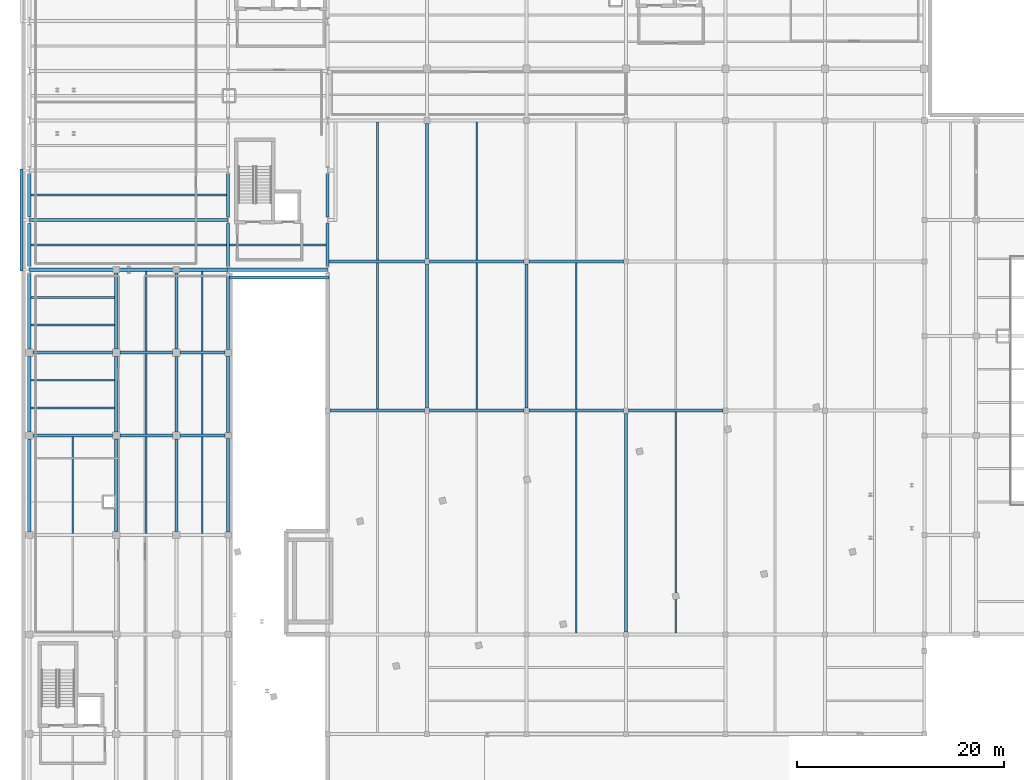
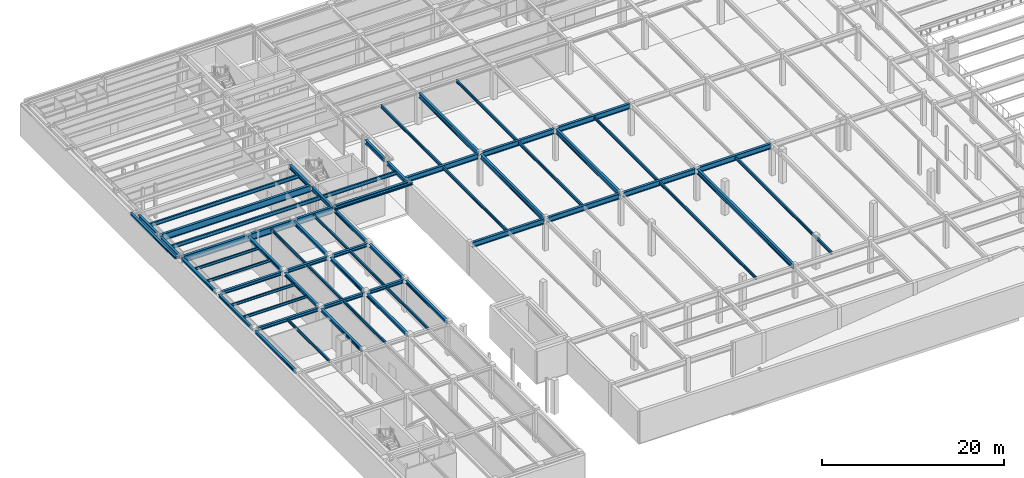
# One storey, part 11 of 32: 61 beams.
"""IFC4 building model written with IfcOpenShell, lengths in metres."""

from ifc_helpers import new_model, si_unit, direction, frame, origin, origin_2d, place, context, subcontext, project, spatial, i_section, extrude, material, material_profile, profile_set, type_object, element, save


model = new_model("IFC4")

# Units and contexts
model_context = context("Model", 3, precision=1e-05, world=origin(), true_north=direction((0.0, 1.0)))
body_context = subcontext(model_context, "Body", "Model", "MODEL_VIEW")
ifc_project = project(units=[si_unit("LENGTHUNIT", "METRE"), si_unit("AREAUNIT", "SQUARE_METRE"), si_unit("VOLUMEUNIT", "CUBIC_METRE"), si_unit("PLANEANGLEUNIT", "RADIAN"), si_unit("MASSUNIT", "GRAM", prefix="KILO")], contexts=[model_context])

# Site, building, storey
site_placement = place(None, origin())
site = spatial("IfcSite", under=ifc_project, at=site_placement, CompositionType="ELEMENT")
building_placement = place(site_placement, origin())
building = spatial("IfcBuilding", under=site, at=building_placement, Name="Nordkorset Police Headquarters", CompositionType="ELEMENT")
storey_placement = place(building_placement, frame((0.0, 0.0, -4.550048828125)))
storey = spatial("IfcBuildingStorey", under=building, at=storey_placement, Name="B01", CompositionType="ELEMENT", Elevation=-4.550048828125)

# Beams
ifc_material_1 = material(Name="Steel S355J2", Category="steel")
ifc_material_profile_1 = material_profile(ifc_material_1, i_section(OverallWidth=0.169921875, OverallDepth=0.360107421875, WebThickness=0.008056640625, FlangeThickness=0.0126953125, FilletRadius=0.01806640625, at=origin_2d()), Name="IPE 360")
ifc_profile_set_1 = profile_set([ifc_material_profile_1], Name="Steel S355J2")
beam_type_1 = type_object("IfcBeamType", Name="Beam_IPE_360", PredefinedType="BEAM", material=ifc_profile_set_1)
beam_1_placement = place(storey_placement, frame((4.199951171875, 57.75, 4.10009765625), z_axis=(0.0, 1.0, 0.0), x_axis=(-1.0, 0.0, 0.0)))
element("IfcBeam", 1, at=beam_1_placement, inside=storey, type_object=beam_type_1, Name="Composite Floor Beam V3 B01 0-3-1", PredefinedType="BEAM", context=body_context, shape_type="SweptSolid", body=[
    extrude(i_section(OverallWidth=0.169921875, OverallDepth=0.360107421875, WebThickness=0.008056640625, FlangeThickness=0.0126953125, FilletRadius=0.01806640625, at=origin_2d()), origin(), (0.0, 0.0, 1.0), 9.300048828125),
])
for number, where, z_axis, x_axis, name in (
    (2, (0.14990234375, 69.86669921875, 4.10009765625), (1.0, 0.0, 0.0), (0.0, 1.0, 0.0), "Composite Floor Beam V3 B01 0-4-1"),
    (3, (0.14990234375, 72.533447265625, 4.10009765625), (1.0, 0.0, 0.0), (0.0, 1.0, 0.0), "Composite Floor Beam V3 B01 0-4-2"),
    (4, (0.14990234375, 77.86669921875, 4.10009765625), (1.0, 0.0, 0.0), (0.0, 1.0, 0.0), "Composite Floor Beam V3 B01 0-5-1"),
    (5, (0.14990234375, 80.533447265625, 4.10009765625), (1.0, 0.0, 0.0), (0.0, 1.0, 0.0), "Composite Floor Beam V3 B01 0-5-2"),
):
    element("IfcBeam", number, at=place(storey_placement, frame(where, z_axis=z_axis, x_axis=x_axis)), inside=storey, type_object=beam_type_1, Name=name, PredefinedType="BEAM", context=body_context, shape_type="SweptSolid", body=[
        extrude(i_section(OverallWidth=0.169921875, OverallDepth=0.360107421875, WebThickness=0.008056640625, FlangeThickness=0.0126953125, FilletRadius=0.01806640625, at=origin_2d()), origin(), (0.0, 0.0, 1.0), 8.10009765625),
    ])
beam_2_placement = place(storey_placement, frame((11.300048828125, 57.75, 4.10009765625), z_axis=(0.0, 1.0, 0.0), x_axis=(-1.0, 0.0, 0.0)))
element("IfcBeam", 6, at=beam_2_placement, inside=storey, type_object=beam_type_1, Name="Composite Floor Beam V3 B01 1-3-1", PredefinedType="BEAM", context=body_context, shape_type="SweptSolid", body=[
    extrude(i_section(OverallWidth=0.169921875, OverallDepth=0.360107421875, WebThickness=0.008056640625, FlangeThickness=0.0126953125, FilletRadius=0.01806640625, at=origin_2d()), origin(), (0.0, 0.0, 1.0), 9.300048828125),
])
for number, where, z_axis, x_axis, name in (
    (7, (11.300048828125, 67.35009765625, 4.10009765625), (0.0, 1.0, 0.0), (-1.0, 0.0, 0.0), "Composite Floor Beam V3 B01 1-4-1"),
    (8, (11.300048828125, 75.35009765625, 4.10009765625), (0.0, 1.0, 0.0), (-1.0, 0.0, 0.0), "Composite Floor Beam V3 B01 1-5-1"),
):
    element("IfcBeam", number, at=place(storey_placement, frame(where, z_axis=z_axis, x_axis=x_axis)), inside=storey, type_object=beam_type_1, Name=name, PredefinedType="BEAM", context=body_context, shape_type="SweptSolid", body=[
        extrude(i_section(OverallWidth=0.169921875, OverallDepth=0.360107421875, WebThickness=0.008056640625, FlangeThickness=0.0126953125, FilletRadius=0.01806640625, at=origin_2d()), origin(), (0.0, 0.0, 1.0), 7.699951171875),
    ])
beam_3_placement = place(storey_placement, frame((16.699951171875, 57.75, 4.10009765625), z_axis=(0.0, 1.0, 0.0), x_axis=(-1.0, 0.0, 0.0)))
element("IfcBeam", 9, at=beam_3_placement, inside=storey, type_object=beam_type_1, Name="Composite Floor Beam V3 B01 2-3-1", PredefinedType="BEAM", context=body_context, shape_type="SweptSolid", body=[
    extrude(i_section(OverallWidth=0.169921875, OverallDepth=0.360107421875, WebThickness=0.008056640625, FlangeThickness=0.0126953125, FilletRadius=0.01806640625, at=origin_2d()), origin(), (0.0, 0.0, 1.0), 9.300048828125),
])
for number, where, z_axis, x_axis, name in (
    (10, (16.699951171875, 67.35009765625, 4.10009765625), (0.0, 1.0, 0.0), (-1.0, 0.0, 0.0), "Composite Floor Beam V3 B01 2-4-1"),
    (11, (16.699951171875, 75.35009765625, 4.10009765625), (0.0, 1.0, 0.0), (-1.0, 0.0, 0.0), "Composite Floor Beam V3 B01 2-5-1"),
):
    element("IfcBeam", number, at=place(storey_placement, frame(where, z_axis=z_axis, x_axis=x_axis)), inside=storey, type_object=beam_type_1, Name=name, PredefinedType="BEAM", context=body_context, shape_type="SweptSolid", body=[
        extrude(i_section(OverallWidth=0.169921875, OverallDepth=0.360107421875, WebThickness=0.008056640625, FlangeThickness=0.0126953125, FilletRadius=0.01806640625, at=origin_2d()), origin(), (0.0, 0.0, 1.0), 7.699951171875),
    ])
ifc_material_2 = material(Name="Steel S355J2", Category="steel")
ifc_material_profile_2 = material_profile(ifc_material_2, i_section(OverallWidth=0.179931640625, OverallDepth=0.39990234375, WebThickness=0.008544921875, FlangeThickness=0.013427734375, FilletRadius=0.02099609375, at=origin_2d()), Name="IPE 400")
ifc_profile_set_2 = profile_set([ifc_material_profile_2], Name="Steel S355J2")
beam_type_2 = type_object("IfcBeamType", Name="Beam_IPE_400", PredefinedType="BEAM", material=ifc_profile_set_2)
beam_4_placement = place(storey_placement, frame((33.60009765625, 69.75, 4.080078125), z_axis=(0.0, 1.0, 0.0), x_axis=(-1.0, 0.0, 0.0)))
element("IfcBeam", 12, at=beam_4_placement, inside=storey, type_object=beam_type_2, Name="Composite Floor Beam SUB B01 0-2-1", PredefinedType="BEAM", context=body_context, shape_type="SweptSolid", body=[
    extrude(i_section(OverallWidth=0.179931640625, OverallDepth=0.39990234375, WebThickness=0.008544921875, FlangeThickness=0.013427734375, FilletRadius=0.02099609375, at=origin_2d()), origin(), (0.0, 0.0, 1.0), 14.10009765625),
])
beam_5_placement = place(storey_placement, frame((33.60009765625, 84.14990234375, 4.080078125), z_axis=(0.0, 1.0, 0.0), x_axis=(-1.0, 0.0, 0.0)))
element("IfcBeam", 13, at=beam_5_placement, inside=storey, type_object=beam_type_2, Name="Composite Floor Beam SUB B01 0-3-1", PredefinedType="BEAM", context=body_context, shape_type="SweptSolid", body=[
    extrude(i_section(OverallWidth=0.179931640625, OverallDepth=0.39990234375, WebThickness=0.008544921875, FlangeThickness=0.013427734375, FilletRadius=0.02099609375, at=origin_2d()), origin(), (0.0, 0.0, 1.0), 13.300048828125),
])
beam_6_placement = place(storey_placement, frame((43.199951171875, 69.75, 4.080078125), z_axis=(0.0, 1.0, 0.0), x_axis=(-1.0, 0.0, 0.0)))
element("IfcBeam", 14, at=beam_6_placement, inside=storey, type_object=beam_type_2, Name="Composite Floor Beam SUB B01 1-2-1", PredefinedType="BEAM", context=body_context, shape_type="SweptSolid", body=[
    extrude(i_section(OverallWidth=0.179931640625, OverallDepth=0.39990234375, WebThickness=0.008544921875, FlangeThickness=0.013427734375, FilletRadius=0.02099609375, at=origin_2d()), origin(), (0.0, 0.0, 1.0), 14.10009765625),
])
beam_7_placement = place(storey_placement, frame((43.199951171875, 84.14990234375, 4.080078125), z_axis=(0.0, 1.0, 0.0), x_axis=(-1.0, 0.0, 0.0)))
element("IfcBeam", 15, at=beam_7_placement, inside=storey, type_object=beam_type_2, Name="Composite Floor Beam SUB B01 1-3-1", PredefinedType="BEAM", context=body_context, shape_type="SweptSolid", body=[
    extrude(i_section(OverallWidth=0.179931640625, OverallDepth=0.39990234375, WebThickness=0.008544921875, FlangeThickness=0.013427734375, FilletRadius=0.02099609375, at=origin_2d()), origin(), (0.0, 0.0, 1.0), 13.300048828125),
])
beam_8_placement = place(storey_placement, frame((52.800048828125, 48.14990234375, 4.080078125), z_axis=(0.0, 1.0, 0.0), x_axis=(-1.0, 0.0, 0.0)))
element("IfcBeam", 16, at=beam_8_placement, inside=storey, type_object=beam_type_2, Name="Composite Floor Beam SUB B01 2-1-1", PredefinedType="BEAM", context=body_context, shape_type="SweptSolid", body=[
    extrude(i_section(OverallWidth=0.179931640625, OverallDepth=0.39990234375, WebThickness=0.008544921875, FlangeThickness=0.013427734375, FilletRadius=0.02099609375, at=origin_2d()), origin(), (0.0, 0.0, 1.0), 21.300048828125),
])
beam_9_placement = place(storey_placement, frame((52.800048828125, 69.75, 4.080078125), z_axis=(0.0, 1.0, 0.0), x_axis=(-1.0, 0.0, 0.0)))
element("IfcBeam", 17, at=beam_9_placement, inside=storey, type_object=beam_type_2, Name="Composite Floor Beam SUB B01 2-2-1", PredefinedType="BEAM", context=body_context, shape_type="SweptSolid", body=[
    extrude(i_section(OverallWidth=0.179931640625, OverallDepth=0.39990234375, WebThickness=0.008544921875, FlangeThickness=0.013427734375, FilletRadius=0.02099609375, at=origin_2d()), origin(), (0.0, 0.0, 1.0), 14.10009765625),
])
beam_10_placement = place(storey_placement, frame((62.39990234375, 48.14990234375, 4.080078125), z_axis=(0.0, 1.0, 0.0), x_axis=(-1.0, 0.0, 0.0)))
element("IfcBeam", 18, at=beam_10_placement, inside=storey, type_object=beam_type_2, Name="Composite Floor Beam SUB B01 3-1-1", PredefinedType="BEAM", context=body_context, shape_type="SweptSolid", body=[
    extrude(i_section(OverallWidth=0.179931640625, OverallDepth=0.39990234375, WebThickness=0.008544921875, FlangeThickness=0.013427734375, FilletRadius=0.02099609375, at=origin_2d()), origin(), (0.0, 0.0, 1.0), 21.300048828125),
])
ifc_material_3 = material(Name="Steel S355J2", Category="steel")
ifc_material_profile_3 = material_profile(ifc_material_3, i_section(OverallWidth=0.199951171875, OverallDepth=0.5, WebThickness=0.01025390625, FlangeThickness=0.01611328125, FilletRadius=0.02099609375, at=origin_2d()), Name="IPE 500")
ifc_profile_set_3 = profile_set([ifc_material_profile_3], Name="Steel S355J2")
beam_type_3 = type_object("IfcBeamType", Name="Beam_IPE_500", PredefinedType="BEAM", material=ifc_profile_set_3)
for number, where, z_axis, x_axis, name in (
    (19, (0.14990234375, 85.60009765625, 4.030029296875), (1.0, 0.0, 0.0), (0.0, 1.0, 0.0), "Composite Floor Beam V1 B01 0-0-1"),
    (20, (0.14990234375, 90.39990234375, 4.030029296875), (1.0, 0.0, 0.0), (0.0, 1.0, 0.0), "Composite Floor Beam V1 B01 0-1-1"),
):
    element("IfcBeam", number, at=place(storey_placement, frame(where, z_axis=z_axis, x_axis=x_axis)), inside=storey, type_object=beam_type_3, Name=name, PredefinedType="BEAM", context=body_context, shape_type="SweptSolid", body=[
        extrude(i_section(OverallWidth=0.199951171875, OverallDepth=0.5, WebThickness=0.01025390625, FlangeThickness=0.01611328125, FilletRadius=0.02099609375, at=origin_2d()), origin(), (0.0, 0.0, 1.0), 18.900146484375),
    ])
beam_11_placement = place(storey_placement, frame((19.35009765625, 85.60009765625, 4.030029296875), z_axis=(1.0, 0.0, 0.0), x_axis=(0.0, 1.0, 0.0)))
element("IfcBeam", 21, at=beam_11_placement, inside=storey, type_object=beam_type_3, Name="Composite Floor Beam V1 B01 1-0-1", PredefinedType="BEAM", context=body_context, shape_type="SweptSolid", body=[
    extrude(i_section(OverallWidth=0.199951171875, OverallDepth=0.5, WebThickness=0.01025390625, FlangeThickness=0.01611328125, FilletRadius=0.02099609375, at=origin_2d()), origin(), (0.0, 0.0, 1.0), 9.2998046875),
])
ifc_material_4 = material(Name="Steel S355J2", Category="steel")
ifc_material_profile_4 = material_profile(ifc_material_4, i_section(OverallWidth=0.300048828125, OverallDepth=0.43994140625, WebThickness=0.011474609375, FlangeThickness=0.02099609375, FilletRadius=0.027099609375, at=origin_2d()), Name="HEA 450")
ifc_profile_set_4 = profile_set([ifc_material_profile_4], Name="Steel S355J2")
beam_type_4 = type_object("IfcBeamType", Name="Girder_HEA_450", PredefinedType="USERDEFINED", material=ifc_profile_set_4)
beam_12_placement = place(storey_placement, frame((0.35009765625, 67.199951171875, 4.06005859375), z_axis=(1.0, 0.0, 0.0), x_axis=(0.0, 1.0, 0.0)))
element("IfcBeam", 22, at=beam_12_placement, inside=storey, type_object=beam_type_4, Name="Girder V3 B01 GX-4-0", ObjectType="GIRDER", PredefinedType="USERDEFINED", context=body_context, shape_type="SweptSolid", body=[
    extrude(i_section(OverallWidth=0.300048828125, OverallDepth=0.43994140625, WebThickness=0.011474609375, FlangeThickness=0.02099609375, FilletRadius=0.027099609375, at=origin_2d()), origin(), (0.0, 0.0, 1.0), 7.699951171875),
])
beam_13_placement = place(storey_placement, frame((8.75, 67.199951171875, 4.06005859375), z_axis=(1.0, 0.0, 0.0), x_axis=(0.0, 1.0, 0.0)))
element("IfcBeam", 23, at=beam_13_placement, inside=storey, type_object=beam_type_4, Name="Girder V3 B01 GX-4-1", ObjectType="GIRDER", PredefinedType="USERDEFINED", context=body_context, shape_type="SweptSolid", body=[
    extrude(i_section(OverallWidth=0.300048828125, OverallDepth=0.43994140625, WebThickness=0.011474609375, FlangeThickness=0.02099609375, FilletRadius=0.027099609375, at=origin_2d()), origin(), (0.0, 0.0, 1.0), 5.10009765625),
])
beam_14_placement = place(storey_placement, frame((14.550048828125, 67.199951171875, 4.06005859375), z_axis=(1.0, 0.0, 0.0), x_axis=(0.0, 1.0, 0.0)))
element("IfcBeam", 24, at=beam_14_placement, inside=storey, type_object=beam_type_4, Name="Girder V3 B01 GX-4-2", ObjectType="GIRDER", PredefinedType="USERDEFINED", context=body_context, shape_type="SweptSolid", body=[
    extrude(i_section(OverallWidth=0.300048828125, OverallDepth=0.43994140625, WebThickness=0.011474609375, FlangeThickness=0.02099609375, FilletRadius=0.027099609375, at=origin_2d()), origin(), (0.0, 0.0, 1.0), 4.349853515625),
])
beam_15_placement = place(storey_placement, frame((0.35009765625, 75.199951171875, 4.06005859375), z_axis=(1.0, 0.0, 0.0), x_axis=(0.0, 1.0, 0.0)))
element("IfcBeam", 25, at=beam_15_placement, inside=storey, type_object=beam_type_4, Name="Girder V3 B01 GX-5-0", ObjectType="GIRDER", PredefinedType="USERDEFINED", context=body_context, shape_type="SweptSolid", body=[
    extrude(i_section(OverallWidth=0.300048828125, OverallDepth=0.43994140625, WebThickness=0.011474609375, FlangeThickness=0.02099609375, FilletRadius=0.027099609375, at=origin_2d()), origin(), (0.0, 0.0, 1.0), 7.699951171875),
])
beam_16_placement = place(storey_placement, frame((8.75, 75.199951171875, 4.06005859375), z_axis=(1.0, 0.0, 0.0), x_axis=(0.0, 1.0, 0.0)))
element("IfcBeam", 26, at=beam_16_placement, inside=storey, type_object=beam_type_4, Name="Girder V3 B01 GX-5-1", ObjectType="GIRDER", PredefinedType="USERDEFINED", context=body_context, shape_type="SweptSolid", body=[
    extrude(i_section(OverallWidth=0.300048828125, OverallDepth=0.43994140625, WebThickness=0.011474609375, FlangeThickness=0.02099609375, FilletRadius=0.027099609375, at=origin_2d()), origin(), (0.0, 0.0, 1.0), 5.10009765625),
])
beam_17_placement = place(storey_placement, frame((14.550048828125, 75.199951171875, 4.06005859375), z_axis=(1.0, 0.0, 0.0), x_axis=(0.0, 1.0, 0.0)))
element("IfcBeam", 27, at=beam_17_placement, inside=storey, type_object=beam_type_4, Name="Girder V3 B01 GX-5-2", ObjectType="GIRDER", PredefinedType="USERDEFINED", context=body_context, shape_type="SweptSolid", body=[
    extrude(i_section(OverallWidth=0.300048828125, OverallDepth=0.43994140625, WebThickness=0.011474609375, FlangeThickness=0.02099609375, FilletRadius=0.027099609375, at=origin_2d()), origin(), (0.0, 0.0, 1.0), 4.349853515625),
])
beam_18_placement = place(storey_placement, frame((0.0, 57.949951171875, 4.06005859375), z_axis=(0.0, 1.0, 0.0), x_axis=(-1.0, 0.0, 0.0)))
element("IfcBeam", 28, at=beam_18_placement, inside=storey, type_object=beam_type_4, Name="Girder V3 B01 GY-0-3", ObjectType="GIRDER", PredefinedType="USERDEFINED", context=body_context, shape_type="SweptSolid", body=[
    extrude(i_section(OverallWidth=0.300048828125, OverallDepth=0.43994140625, WebThickness=0.011474609375, FlangeThickness=0.02099609375, FilletRadius=0.027099609375, at=origin_2d()), origin(), (0.0, 0.0, 1.0), 8.900146484375),
])
beam_19_placement = place(storey_placement, frame((0.0, 67.550048828125, 4.06005859375), z_axis=(0.0, 1.0, 0.0), x_axis=(-1.0, 0.0, 0.0)))
element("IfcBeam", 29, at=beam_19_placement, inside=storey, type_object=beam_type_4, Name="Girder V3 B01 GY-0-4", ObjectType="GIRDER", PredefinedType="USERDEFINED", context=body_context, shape_type="SweptSolid", body=[
    extrude(i_section(OverallWidth=0.300048828125, OverallDepth=0.43994140625, WebThickness=0.011474609375, FlangeThickness=0.02099609375, FilletRadius=0.027099609375, at=origin_2d()), origin(), (0.0, 0.0, 1.0), 7.300048828125),
])
beam_20_placement = place(storey_placement, frame((0.0, 75.550048828125, 4.06005859375), z_axis=(0.0, 1.0, 0.0), x_axis=(-1.0, 0.0, 0.0)))
element("IfcBeam", 30, at=beam_20_placement, inside=storey, type_object=beam_type_4, Name="Girder V3 B01 GY-0-5", ObjectType="GIRDER", PredefinedType="USERDEFINED", context=body_context, shape_type="SweptSolid", body=[
    extrude(i_section(OverallWidth=0.300048828125, OverallDepth=0.43994140625, WebThickness=0.011474609375, FlangeThickness=0.02099609375, FilletRadius=0.027099609375, at=origin_2d()), origin(), (0.0, 0.0, 1.0), 7.324951171875),
])
beam_21_placement = place(storey_placement, frame((8.39990234375, 57.949951171875, 4.06005859375), z_axis=(0.0, 1.0, 0.0), x_axis=(-1.0, 0.0, 0.0)))
element("IfcBeam", 31, at=beam_21_placement, inside=storey, type_object=beam_type_4, Name="Girder V3 B01 GY-1-3", ObjectType="GIRDER", PredefinedType="USERDEFINED", context=body_context, shape_type="SweptSolid", body=[
    extrude(i_section(OverallWidth=0.300048828125, OverallDepth=0.43994140625, WebThickness=0.011474609375, FlangeThickness=0.02099609375, FilletRadius=0.027099609375, at=origin_2d()), origin(), (0.0, 0.0, 1.0), 8.900146484375),
])
beam_22_placement = place(storey_placement, frame((8.39990234375, 67.550048828125, 4.06005859375), z_axis=(0.0, 1.0, 0.0), x_axis=(-1.0, 0.0, 0.0)))
element("IfcBeam", 32, at=beam_22_placement, inside=storey, type_object=beam_type_4, Name="Girder V3 B01 GY-1-4", ObjectType="GIRDER", PredefinedType="USERDEFINED", context=body_context, shape_type="SweptSolid", body=[
    extrude(i_section(OverallWidth=0.300048828125, OverallDepth=0.43994140625, WebThickness=0.011474609375, FlangeThickness=0.02099609375, FilletRadius=0.027099609375, at=origin_2d()), origin(), (0.0, 0.0, 1.0), 7.300048828125),
])
beam_23_placement = place(storey_placement, frame((8.39990234375, 75.550048828125, 4.06005859375), z_axis=(0.0, 1.0, 0.0), x_axis=(-1.0, 0.0, 0.0)))
element("IfcBeam", 33, at=beam_23_placement, inside=storey, type_object=beam_type_4, Name="Girder V3 B01 GY-1-5", ObjectType="GIRDER", PredefinedType="USERDEFINED", context=body_context, shape_type="SweptSolid", body=[
    extrude(i_section(OverallWidth=0.300048828125, OverallDepth=0.43994140625, WebThickness=0.011474609375, FlangeThickness=0.02099609375, FilletRadius=0.027099609375, at=origin_2d()), origin(), (0.0, 0.0, 1.0), 7.349853515625),
])
beam_24_placement = place(storey_placement, frame((14.199951171875, 57.949951171875, 4.06005859375), z_axis=(0.0, 1.0, 0.0), x_axis=(-1.0, 0.0, 0.0)))
element("IfcBeam", 34, at=beam_24_placement, inside=storey, type_object=beam_type_4, Name="Girder V3 B01 GY-2-3", ObjectType="GIRDER", PredefinedType="USERDEFINED", context=body_context, shape_type="SweptSolid", body=[
    extrude(i_section(OverallWidth=0.300048828125, OverallDepth=0.43994140625, WebThickness=0.011474609375, FlangeThickness=0.02099609375, FilletRadius=0.027099609375, at=origin_2d()), origin(), (0.0, 0.0, 1.0), 8.900146484375),
])
beam_25_placement = place(storey_placement, frame((14.199951171875, 67.550048828125, 4.06005859375), z_axis=(0.0, 1.0, 0.0), x_axis=(-1.0, 0.0, 0.0)))
element("IfcBeam", 35, at=beam_25_placement, inside=storey, type_object=beam_type_4, Name="Girder V3 B01 GY-2-4", ObjectType="GIRDER", PredefinedType="USERDEFINED", context=body_context, shape_type="SweptSolid", body=[
    extrude(i_section(OverallWidth=0.300048828125, OverallDepth=0.43994140625, WebThickness=0.011474609375, FlangeThickness=0.02099609375, FilletRadius=0.027099609375, at=origin_2d()), origin(), (0.0, 0.0, 1.0), 7.300048828125),
])
beam_26_placement = place(storey_placement, frame((14.199951171875, 75.550048828125, 4.06005859375), z_axis=(0.0, 1.0, 0.0), x_axis=(-1.0, 0.0, 0.0)))
element("IfcBeam", 36, at=beam_26_placement, inside=storey, type_object=beam_type_4, Name="Girder V3 B01 GY-2-5", ObjectType="GIRDER", PredefinedType="USERDEFINED", context=body_context, shape_type="SweptSolid", body=[
    extrude(i_section(OverallWidth=0.300048828125, OverallDepth=0.43994140625, WebThickness=0.011474609375, FlangeThickness=0.02099609375, FilletRadius=0.027099609375, at=origin_2d()), origin(), (0.0, 0.0, 1.0), 7.349853515625),
])
beam_27_placement = place(storey_placement, frame((19.199951171875, 57.89990234375, 4.06005859375), z_axis=(0.0, 1.0, 0.0), x_axis=(-1.0, 0.0, 0.0)))
element("IfcBeam", 37, at=beam_27_placement, inside=storey, type_object=beam_type_4, Name="Girder V3 B01 GY-3-3", ObjectType="GIRDER", PredefinedType="USERDEFINED", context=body_context, shape_type="SweptSolid", body=[
    extrude(i_section(OverallWidth=0.300048828125, OverallDepth=0.43994140625, WebThickness=0.011474609375, FlangeThickness=0.02099609375, FilletRadius=0.027099609375, at=origin_2d()), origin(), (0.0, 0.0, 1.0), 9.0),
])
beam_28_placement = place(storey_placement, frame((19.199951171875, 67.5, 4.06005859375), z_axis=(0.0, 1.0, 0.0), x_axis=(-1.0, 0.0, 0.0)))
element("IfcBeam", 38, at=beam_28_placement, inside=storey, type_object=beam_type_4, Name="Girder V3 B01 GY-3-4", ObjectType="GIRDER", PredefinedType="USERDEFINED", context=body_context, shape_type="SweptSolid", body=[
    extrude(i_section(OverallWidth=0.300048828125, OverallDepth=0.43994140625, WebThickness=0.011474609375, FlangeThickness=0.02099609375, FilletRadius=0.027099609375, at=origin_2d()), origin(), (0.0, 0.0, 1.0), 7.39990234375),
])
beam_29_placement = place(storey_placement, frame((19.199951171875, 75.5, 4.06005859375), z_axis=(0.0, 1.0, 0.0), x_axis=(-1.0, 0.0, 0.0)))
element("IfcBeam", 39, at=beam_29_placement, inside=storey, type_object=beam_type_4, Name="Girder V3 B01 GY-3-5", ObjectType="GIRDER", PredefinedType="USERDEFINED", context=body_context, shape_type="SweptSolid", body=[
    extrude(i_section(OverallWidth=0.300048828125, OverallDepth=0.43994140625, WebThickness=0.011474609375, FlangeThickness=0.02099609375, FilletRadius=0.027099609375, at=origin_2d()), origin(), (0.0, 0.0, 1.0), 7.375),
])
ifc_material_5 = material(Name="Steel S355J2", Category="steel")
ifc_material_profile_5 = material_profile(ifc_material_5, i_section(OverallWidth=0.300048828125, OverallDepth=0.5400390625, WebThickness=0.012451171875, FlangeThickness=0.02392578125, FilletRadius=0.027099609375, at=origin_2d()), Name="HEA 550")
ifc_profile_set_5 = profile_set([ifc_material_profile_5], Name="Steel S355J2")
beam_type_5 = type_object("IfcBeamType", Name="Girder_HEA_550", PredefinedType="USERDEFINED", material=ifc_profile_set_5)
for number, where, z_axis, x_axis, name in (
    (40, (0.0, 83.52490234375, 4.010009765625), (0.0, 1.0, 0.0), (-1.0, 0.0, 0.0), "Girder V1 B01 GY-0-0"),
    (41, (0.0, 88.324951171875, 4.010009765625), (0.0, 1.0, 0.0), (-1.0, 0.0, 0.0), "Girder V1 B01 GY-0-1"),
    (42, (19.199951171875, 83.52490234375, 4.010009765625), (0.0, 1.0, 0.0), (-1.0, 0.0, 0.0), "Girder V1 B01 GY-1-0"),
    (43, (19.199951171875, 88.324951171875, 4.010009765625), (0.0, 1.0, 0.0), (-1.0, 0.0, 0.0), "Girder V1 B01 GY-1-1"),
    (44, (28.800048828125, 83.52490234375, 4.010009765625), (0.0, 1.0, 0.0), (-1.0, 0.0, 0.0), "Girder V1 B01 GY-2-0"),
    (45, (28.800048828125, 88.324951171875, 4.010009765625), (0.0, 1.0, 0.0), (-1.0, 0.0, 0.0), "Girder V1 B01 GY-2-1"),
):
    element("IfcBeam", number, at=place(storey_placement, frame(where, z_axis=z_axis, x_axis=x_axis)), inside=storey, type_object=beam_type_5, Name=name, ObjectType="GIRDER", PredefinedType="USERDEFINED", context=body_context, shape_type="SweptSolid", body=[
        extrude(i_section(OverallWidth=0.300048828125, OverallDepth=0.5400390625, WebThickness=0.012451171875, FlangeThickness=0.02392578125, FilletRadius=0.027099609375, at=origin_2d()), origin(), (0.0, 0.0, 1.0), 4.150146484375),
    ])
ifc_material_6 = material(Name="Steel S355J2", Category="steel")
ifc_material_profile_6 = material_profile(ifc_material_6, i_section(OverallWidth=0.300048828125, OverallDepth=0.64990234375, WebThickness=0.01611328125, FlangeThickness=0.031005859375, FilletRadius=0.027099609375, at=origin_2d()), Name="HEB 650")
ifc_profile_set_6 = profile_set([ifc_material_profile_6], Name="Steel S355J2")
beam_type_6 = type_object("IfcBeamType", Name="Girder_HEB_650", PredefinedType="USERDEFINED", material=ifc_profile_set_6)
beam_30_placement = place(storey_placement, frame((38.39990234375, 69.85009765625, 3.955078125), z_axis=(0.0, 1.0, 0.0), x_axis=(-1.0, 0.0, 0.0)))
element("IfcBeam", 46, at=beam_30_placement, inside=storey, type_object=beam_type_6, Name="Girder SUB B01 GY-1-2", ObjectType="GIRDER", PredefinedType="USERDEFINED", context=body_context, shape_type="SweptSolid", body=[
    extrude(i_section(OverallWidth=0.300048828125, OverallDepth=0.64990234375, WebThickness=0.01611328125, FlangeThickness=0.031005859375, FilletRadius=0.027099609375, at=origin_2d()), origin(), (0.0, 0.0, 1.0), 13.89990234375),
])
beam_31_placement = place(storey_placement, frame((38.39990234375, 84.25, 3.955078125), z_axis=(0.0, 1.0, 0.0), x_axis=(-1.0, 0.0, 0.0)))
element("IfcBeam", 47, at=beam_31_placement, inside=storey, type_object=beam_type_6, Name="Girder SUB B01 GY-1-3", ObjectType="GIRDER", PredefinedType="USERDEFINED", context=body_context, shape_type="SweptSolid", body=[
    extrude(i_section(OverallWidth=0.300048828125, OverallDepth=0.64990234375, WebThickness=0.01611328125, FlangeThickness=0.031005859375, FilletRadius=0.027099609375, at=origin_2d()), origin(), (0.0, 0.0, 1.0), 13.050048828125),
])
beam_32_placement = place(storey_placement, frame((48.0, 69.85009765625, 3.955078125), z_axis=(0.0, 1.0, 0.0), x_axis=(-1.0, 0.0, 0.0)))
element("IfcBeam", 48, at=beam_32_placement, inside=storey, type_object=beam_type_6, Name="Girder SUB B01 GY-2-2", ObjectType="GIRDER", PredefinedType="USERDEFINED", context=body_context, shape_type="SweptSolid", body=[
    extrude(i_section(OverallWidth=0.300048828125, OverallDepth=0.64990234375, WebThickness=0.01611328125, FlangeThickness=0.031005859375, FilletRadius=0.027099609375, at=origin_2d()), origin(), (0.0, 0.0, 1.0), 13.89990234375),
])
beam_33_placement = place(storey_placement, frame((57.60009765625, 48.25, 3.955078125), z_axis=(0.0, 1.0, 0.0), x_axis=(-1.0, 0.0, 0.0)))
element("IfcBeam", 49, at=beam_33_placement, inside=storey, type_object=beam_type_6, Name="Girder SUB B01 GY-3-1", ObjectType="GIRDER", PredefinedType="USERDEFINED", context=body_context, shape_type="SweptSolid", body=[
    extrude(i_section(OverallWidth=0.300048828125, OverallDepth=0.64990234375, WebThickness=0.01611328125, FlangeThickness=0.031005859375, FilletRadius=0.027099609375, at=origin_2d()), origin(), (0.0, 0.0, 1.0), 21.10009765625),
])
ifc_material_7 = material(Name="Steel S355J2", Category="steel")
ifc_material_profile_7 = material_profile(ifc_material_7, i_section(OverallWidth=0.300048828125, OverallDepth=0.699951171875, WebThickness=0.01708984375, FlangeThickness=0.031982421875, FilletRadius=0.027099609375, at=origin_2d()), Name="HEB 700")
ifc_profile_set_7 = profile_set([ifc_material_profile_7], Name="Steel S355J2")
beam_type_7 = type_object("IfcBeamType", Name="Girder_HEB_700", PredefinedType="USERDEFINED", material=ifc_profile_set_7)
beam_34_placement = place(storey_placement, frame((29.050048828125, 69.60009765625, 3.929931640625), z_axis=(1.0, 0.0, 0.0), x_axis=(0.0, 1.0, 0.0)))
element("IfcBeam", 50, at=beam_34_placement, inside=storey, type_object=beam_type_7, Name="Girder SUB B01 GX-2-0", ObjectType="GIRDER", PredefinedType="USERDEFINED", context=body_context, shape_type="SweptSolid", body=[
    extrude(i_section(OverallWidth=0.300048828125, OverallDepth=0.699951171875, WebThickness=0.01708984375, FlangeThickness=0.031982421875, FilletRadius=0.027099609375, at=origin_2d()), origin(), (0.0, 0.0, 1.0), 9.099853515625),
])
for number, where, z_axis, x_axis, name in (
    (51, (38.64990234375, 69.60009765625, 3.929931640625), (1.0, 0.0, 0.0), (0.0, 1.0, 0.0), "Girder SUB B01 GX-2-1"),
    (52, (48.25, 69.60009765625, 3.929931640625), (1.0, 0.0, 0.0), (0.0, 1.0, 0.0), "Girder SUB B01 GX-2-2"),
):
    element("IfcBeam", number, at=place(storey_placement, frame(where, z_axis=z_axis, x_axis=x_axis)), inside=storey, type_object=beam_type_7, Name=name, ObjectType="GIRDER", PredefinedType="USERDEFINED", context=body_context, shape_type="SweptSolid", body=[
        extrude(i_section(OverallWidth=0.300048828125, OverallDepth=0.699951171875, WebThickness=0.01708984375, FlangeThickness=0.031982421875, FilletRadius=0.027099609375, at=origin_2d()), origin(), (0.0, 0.0, 1.0), 9.10009765625),
    ])
beam_35_placement = place(storey_placement, frame((57.85009765625, 69.60009765625, 3.929931640625), z_axis=(1.0, 0.0, 0.0), x_axis=(0.0, 1.0, 0.0)))
element("IfcBeam", 53, at=beam_35_placement, inside=storey, type_object=beam_type_7, Name="Girder SUB B01 GX-2-3", ObjectType="GIRDER", PredefinedType="USERDEFINED", context=body_context, shape_type="SweptSolid", body=[
    extrude(i_section(OverallWidth=0.300048828125, OverallDepth=0.699951171875, WebThickness=0.01708984375, FlangeThickness=0.031982421875, FilletRadius=0.027099609375, at=origin_2d()), origin(), (0.0, 0.0, 1.0), 9.099853515625),
])
beam_36_placement = place(storey_placement, frame((28.949951171875, 84.0, 3.929931640625), z_axis=(1.0, 0.0, 0.0), x_axis=(0.0, 1.0, 0.0)))
element("IfcBeam", 54, at=beam_36_placement, inside=storey, type_object=beam_type_7, Name="Girder SUB B01 GX-3-0", ObjectType="GIRDER", PredefinedType="USERDEFINED", context=body_context, shape_type="SweptSolid", body=[
    extrude(i_section(OverallWidth=0.300048828125, OverallDepth=0.699951171875, WebThickness=0.01708984375, FlangeThickness=0.031982421875, FilletRadius=0.027099609375, at=origin_2d()), origin(), (0.0, 0.0, 1.0), 9.199951171875),
])
for number, where, z_axis, x_axis, name in (
    (55, (38.64990234375, 84.0, 3.929931640625), (1.0, 0.0, 0.0), (0.0, 1.0, 0.0), "Girder SUB B01 GX-3-1"),
    (56, (48.25, 84.0, 3.929931640625), (1.0, 0.0, 0.0), (0.0, 1.0, 0.0), "Girder SUB B01 GX-3-2"),
):
    element("IfcBeam", number, at=place(storey_placement, frame(where, z_axis=z_axis, x_axis=x_axis)), inside=storey, type_object=beam_type_7, Name=name, ObjectType="GIRDER", PredefinedType="USERDEFINED", context=body_context, shape_type="SweptSolid", body=[
        extrude(i_section(OverallWidth=0.300048828125, OverallDepth=0.699951171875, WebThickness=0.01708984375, FlangeThickness=0.031982421875, FilletRadius=0.027099609375, at=origin_2d()), origin(), (0.0, 0.0, 1.0), 9.10009765625),
    ])
ifc_material_8 = material(Name="Steel S355J2", Category="steel")
ifc_material_profile_8 = material_profile(ifc_material_8, i_section(OverallWidth=0.300048828125, OverallDepth=0.89990234375, WebThickness=0.0185546875, FlangeThickness=0.034912109375, FilletRadius=0.030029296875, at=origin_2d()), Name="HEB 900")
ifc_profile_set_8 = profile_set([ifc_material_profile_8], Name="Steel S355J2")
beam_type_8 = type_object("IfcBeamType", Name="Girder_HEB_900", PredefinedType="USERDEFINED", material=ifc_profile_set_8)
for number, where, z_axis, x_axis, name in (
    (57, (0.008056640625, 83.199951171875, 3.830078125), (1.0, 0.0, 0.0), (0.0, 1.0, 0.0), "Girder V1 B01 GX-0-0"),
    (58, (0.008056640625, 88.0, 3.830078125), (1.0, 0.0, 0.0), (0.0, 1.0, 0.0), "Girder V1 B01 GX-1-0"),
):
    element("IfcBeam", number, at=place(storey_placement, frame(where, z_axis=z_axis, x_axis=x_axis)), inside=storey, type_object=beam_type_8, Name=name, ObjectType="GIRDER", PredefinedType="USERDEFINED", context=body_context, shape_type="SweptSolid", body=[
        extrude(i_section(OverallWidth=0.300048828125, OverallDepth=0.89990234375, WebThickness=0.0185546875, FlangeThickness=0.034912109375, FilletRadius=0.030029296875, at=origin_2d()), origin(), (0.0, 0.0, 1.0), 19.183837890625),
    ])
ifc_material_9 = material(Name="Steel S355J2", Category="steel")
ifc_material_profile_9 = material_profile(ifc_material_9, i_section(OverallWidth=0.280029296875, OverallDepth=0.27001953125, WebThickness=0.008056640625, FlangeThickness=0.012939453125, FilletRadius=0.02392578125, at=origin_2d()), Name="HEA 280")
ifc_profile_set_9 = profile_set([ifc_material_profile_9], Name="Steel S355J2")
beam_type_9 = type_object("IfcBeamType", Name="Spandrel_HEA_280", PredefinedType="SPANDREL", material=ifc_profile_set_9)
for number, where, z_axis, x_axis, name in (
    (59, (-0.75, 83.06005859375, 4.41015625), (0.0, 1.0, 0.0), (-1.0, 0.0, 0.0), "Plinth Fin Support Ledger West 1"),
    (60, (19.06005859375, 82.449951171875, 4.41015625), (1.0, 0.0, 0.0), (0.0, 1.0, 0.0), "Plinth Fin Support Ledger South 1"),
):
    element("IfcBeam", number, at=place(storey_placement, frame(where, z_axis=z_axis, x_axis=x_axis)), inside=storey, type_object=beam_type_9, Name=name, PredefinedType="SPANDREL", context=body_context, shape_type="SweptSolid", body=[
        extrude(i_section(OverallWidth=0.280029296875, OverallDepth=0.27001953125, WebThickness=0.008056640625, FlangeThickness=0.012939453125, FilletRadius=0.02392578125, at=origin_2d()), origin(), (0.0, 0.0, 1.0), 9.8798828125),
    ])
ifc_material_10 = material(Name="Steel S355J2", Category="steel")
ifc_material_profile_10 = material_profile(ifc_material_10, i_section(OverallWidth=0.300048828125, OverallDepth=0.31005859375, WebThickness=0.009033203125, FlangeThickness=0.015380859375, FilletRadius=0.027099609375, at=origin_2d()), Name="HEA 320")
ifc_profile_set_10 = profile_set([ifc_material_profile_10], Name="Steel S355J2")
beam_type_10 = type_object("IfcBeamType", Name="Spandrel_HEA_320", PredefinedType="SPANDREL", material=ifc_profile_set_10)
beam_37_placement = place(storey_placement, frame((19.2080078125, 83.199951171875, 4.125), z_axis=(1.0, 0.0, 0.0), x_axis=(0.0, 1.0, 0.0)))
element("IfcBeam", 61, at=beam_37_placement, inside=storey, type_object=beam_type_10, Name="Girder V1 B01 GX-0-1", PredefinedType="SPANDREL", context=body_context, shape_type="SweptSolid", body=[
    extrude(i_section(OverallWidth=0.300048828125, OverallDepth=0.31005859375, WebThickness=0.009033203125, FlangeThickness=0.015380859375, FilletRadius=0.027099609375, at=origin_2d()), origin(), (0.0, 0.0, 1.0), 9.583984375),
])

save(model, "model.ifc")
